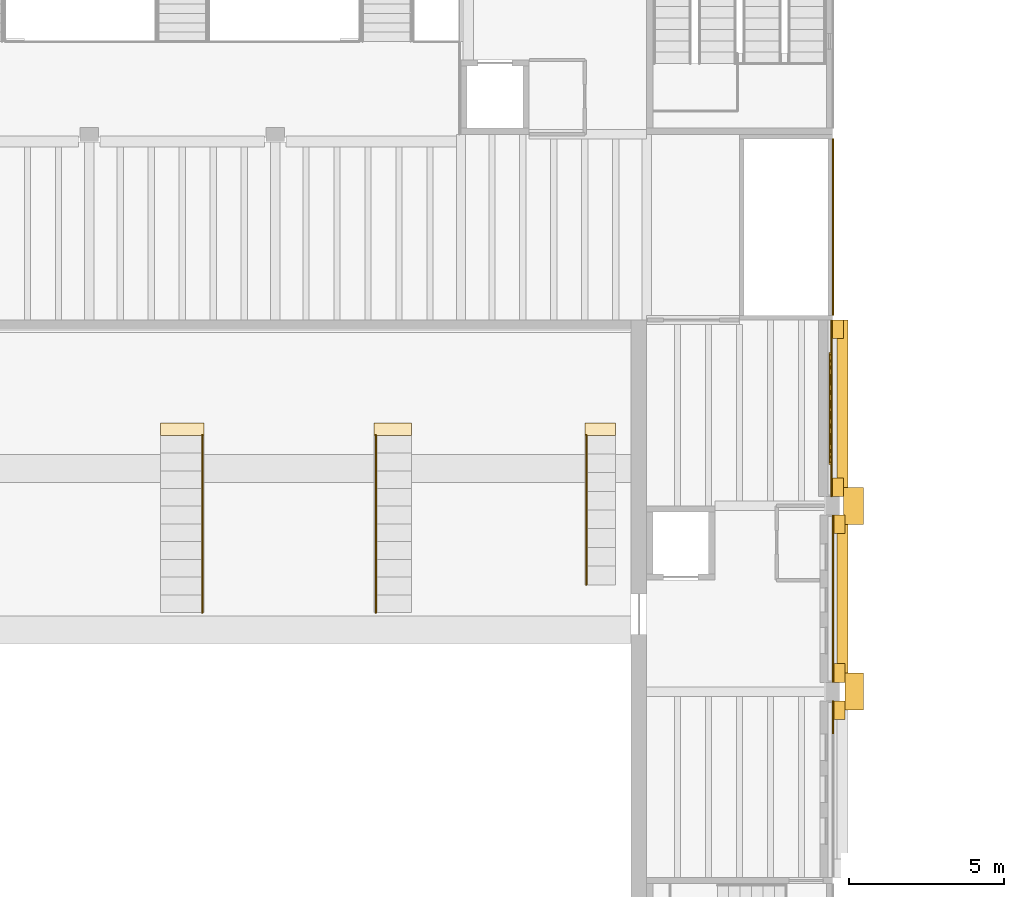
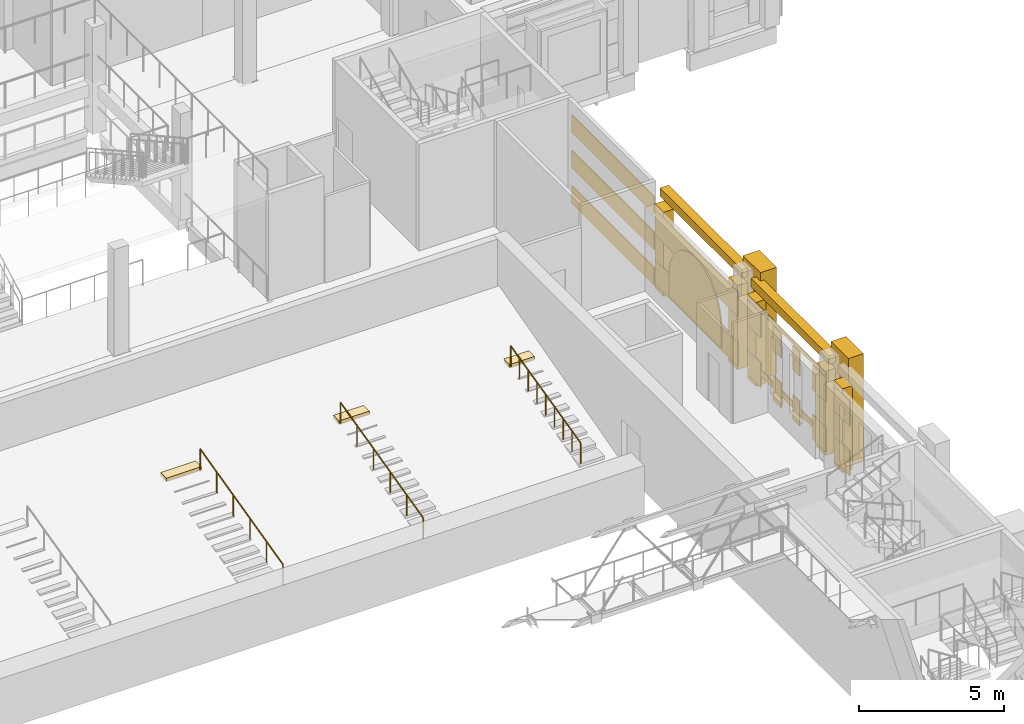
# One storey, part 63 of 70: 30 coverings, 3 railings.
"""IFC4 building model written with IfcOpenShell, lengths in metres."""

import ifcopenshell
import ifcopenshell.guid

model = None  # the IFC model being written
_history = None  # IfcOwnerHistory: only IFC2X3 demands one
_inside = {}  # id of a spatial element -> (the spatial element, [elements in it])
_under = {}  # id of a project, library or spatial element -> (it, [spatial elements below it])
_declared = {}  # id of a project -> (the project, [libraries it declares])
_typed = {}  # id of a type object -> (the type object, [elements of that type])
_made_of = {}  # id of a material, layer set ... -> (it, [elements and type objects made of it])


def new_model(schema):
    """Start an empty IFC model of exactly this schema.

    Asked for "IFC4X3", IfcOpenShell would pick the latest addendum, in which some entities
    have other attributes; the version numbers below select the first issue.
    IFC2X3 requires an IfcOwnerHistory on every rooted entity: one is made here for all.
    """
    global model, _history
    if schema == "IFC4X3":
        model = ifcopenshell.file(schema_version=(4, 3, 0, 0))
    else:
        model = ifcopenshell.file(schema=schema)
    _inside.clear()
    _under.clear()
    _declared.clear()
    _typed.clear()
    _made_of.clear()
    _history = None
    if model.schema == "IFC2X3":
        org = make("IfcOrganization", Name="unknown")
        user = make(
            "IfcPersonAndOrganization",
            ThePerson=make("IfcPerson", FamilyName="unknown"),
            TheOrganization=org,
        )
        app = make(
            "IfcApplication",
            ApplicationDeveloper=org,
            Version="unknown",
            ApplicationFullName="unknown",
            ApplicationIdentifier="unknown",
        )
        _history = make(
            "IfcOwnerHistory",
            OwningUser=user,
            OwningApplication=app,
            ChangeAction="ADDED",
            CreationDate=0,
        )
    return model


def make(cls, **values):
    """One entity of the class cls with the attributes given. An attribute that is None is left unset."""
    return model.create_entity(
        cls, **{name: value for name, value in values.items() if value is not None}
    )


def rooted(cls, **values):
    """An entity with a GlobalId (a new one), such as an element, a storey or a relation."""
    return make(cls, GlobalId=ifcopenshell.guid.new(), OwnerHistory=_history, **values)


def si_unit(unit_type, name, prefix=None):
    """IfcSIUnit, for example si_unit("LENGTHUNIT", "METRE", prefix="MILLI")."""
    return make("IfcSIUnit", UnitType=unit_type, Prefix=prefix, Name=name)


def assignment(units):
    """IfcUnitAssignment: the units of a project."""
    return None if units is None else make("IfcUnitAssignment", Units=units)


def point(xyz):
    """IfcCartesianPoint."""
    return None if xyz is None else make("IfcCartesianPoint", Coordinates=xyz)


def direction(xyz):
    """IfcDirection."""
    return None if xyz is None else make("IfcDirection", DirectionRatios=xyz)


def frame(location, z_axis=None, x_axis=None):
    """IfcAxis2Placement3D, a coordinate frame: its origin and axes. An axis left out is left unset."""
    return make(
        "IfcAxis2Placement3D",
        Location=point(location),
        Axis=direction(z_axis),
        RefDirection=direction(x_axis),
    )


def frame_2d(location, x_axis=None):
    """IfcAxis2Placement2D, a coordinate frame in the plane: its origin and x axis."""
    return make(
        "IfcAxis2Placement2D", Location=point(location), RefDirection=direction(x_axis)
    )


def origin():
    """The frame at (0, 0, 0) with its axes left unset."""
    return frame((0.0, 0.0, 0.0))


def origin_2d():
    """The frame at (0, 0) in the plane with its x axis left unset."""
    return frame_2d((0.0, 0.0))


def place(relative_to, where):
    """IfcLocalPlacement: puts the frame where relative to a parent placement (None: the world)."""
    return make(
        "IfcLocalPlacement", PlacementRelTo=relative_to, RelativePlacement=where
    )


def context(
    kind, dimensions, precision=None, world=None, true_north=None, identifier=None
):
    """IfcGeometricRepresentationContext, for example the 3D "Model" context."""
    return make(
        "IfcGeometricRepresentationContext",
        ContextIdentifier=identifier,
        ContextType=kind,
        CoordinateSpaceDimension=dimensions,
        Precision=precision,
        WorldCoordinateSystem=world,
        TrueNorth=true_north,
    )


def subcontext(parent, identifier, kind, view, scale=None):
    """IfcGeometricRepresentationSubContext, for example "Body" below "Model"."""
    return make(
        "IfcGeometricRepresentationSubContext",
        ContextIdentifier=identifier,
        ContextType=kind,
        ParentContext=parent,
        TargetScale=scale,
        TargetView=view,
    )


def project(units=None, contexts=None):
    """IfcProject with its units and contexts."""
    return rooted(
        "IfcProject",
        Name="project",
        RepresentationContexts=contexts,
        UnitsInContext=assignment(units),
    )


def spatial(cls, under=None, at=None, **own):
    """A site, building, storey or space (cls), placed at a placement, below another one or the project."""
    s = rooted(cls, ObjectPlacement=at, **own)
    if under is not None:
        _under.setdefault(under.id(), (under, []))[1].append(s)
    return s


def polyline(points):
    """IfcPolyline through the points."""
    return make("IfcPolyline", Points=[point(p) for p in points])


def profile(cls, at=None, kind="AREA", **sizes):
    """A parametric profile (cls). Its sizes go by their IFC names, for example OverallWidth=200.0."""
    return make(cls, ProfileType=kind, Position=at, **sizes)


def rectangle(**sizes):
    """IfcRectangleProfileDef."""
    return profile("IfcRectangleProfileDef", **sizes)


def circle(**sizes):
    """IfcCircleProfileDef."""
    return profile("IfcCircleProfileDef", **sizes)


def outline(outer, holes=None, kind="AREA"):
    """IfcArbitraryClosedProfileDef: a profile drawn as a closed curve; with holes, ...WithVoids."""
    if holes is None:
        return make("IfcArbitraryClosedProfileDef", ProfileType=kind, OuterCurve=outer)
    return make(
        "IfcArbitraryProfileDefWithVoids",
        ProfileType=kind,
        OuterCurve=outer,
        InnerCurves=holes,
    )


def extrude(swept, where, along, depth):
    """IfcExtrudedAreaSolid: the profile swept, set in the frame where, extruded along a direction by depth."""
    return make(
        "IfcExtrudedAreaSolid",
        SweptArea=swept,
        Position=where,
        ExtrudedDirection=direction(along),
        Depth=depth,
    )


def shape(context_of_items, identifier, shape_type, items):
    """IfcShapeRepresentation: the items that make up one representation, for example the "Body"."""
    return make(
        "IfcShapeRepresentation",
        ContextOfItems=context_of_items,
        RepresentationIdentifier=identifier,
        RepresentationType=shape_type,
        Items=items,
    )


def material(Name=None, Category=None):
    """IfcMaterial."""
    return make("IfcMaterial", Name=Name, Category=Category)


def layer(
    of_material, thickness, ventilated=None, Name=None, Category=None, Priority=None
):
    """IfcMaterialLayer: one layer of a wall or slab, of a material (None: an air gap)."""
    return make(
        "IfcMaterialLayer",
        Material=of_material,
        LayerThickness=thickness,
        IsVentilated=ventilated,
        Name=Name,
        Category=Category,
        Priority=Priority,
    )


def layer_set(layers, Name=None):
    """IfcMaterialLayerSet."""
    return make("IfcMaterialLayerSet", MaterialLayers=layers, LayerSetName=Name)


def made_of(thing, what):
    """Note that an element or type object is made of a material, layer set ...; save() writes the relation."""
    if what is not None:
        _made_of.setdefault(what.id(), (what, []))[1].append(thing)
    return thing


def type_object(cls, material=None, **own):
    """A type object (cls), such as IfcWallType, which elements share."""
    return made_of(rooted(cls, **own), material)


def element(
    cls,
    number,
    at=None,
    inside=None,
    cuts=None,
    type_object=None,
    material=None,
    context=None,
    identifier="Body",
    shape_type=None,
    held_by="IfcProductDefinitionShape",
    body=None,
    shapes=None,
    **own,
):
    """One element of the class cls, such as IfcWall. Its Tag is "e" and its number.

    at: its placement. inside: the storey or other place that contains it. cuts: it is an
    opening in that element (IfcRelVoidsElement). A single representation is given by context,
    identifier, shape_type and body (its items); several are given by shapes. held_by: the class
    of the entity that holds the representations. save() writes the other relations.
    """
    e = rooted(cls, Tag="e%d" % number, ObjectPlacement=at, **own)
    if body is not None:
        shapes = [shape(context, identifier, shape_type, body)]
    if shapes is not None:
        e.Representation = make(held_by, Representations=shapes)
    if inside is not None:
        _inside.setdefault(inside.id(), (inside, []))[1].append(e)
    if cuts is not None:
        rooted(
            "IfcRelVoidsElement", RelatingBuildingElement=cuts, RelatedOpeningElement=e
        )
    if type_object is not None:
        _typed.setdefault(type_object.id(), (type_object, []))[1].append(e)
    return made_of(e, material)


def aggregate(whole, parts):
    """IfcRelAggregates: a whole, such as a stair, and the parts it consists of."""
    return rooted("IfcRelAggregates", RelatingObject=whole, RelatedObjects=parts)


def save(model, path):
    """Write the relations noted so far, then the file.

    IfcRelAggregates (storeys below a building ...), IfcRelContainedInSpatialStructure (elements
    in a storey), IfcRelDefinesByType, IfcRelAssociatesMaterial and IfcRelDeclares: one each for
    every whole, place, type object, material and project.
    """
    for whole, parts in _under.values():
        aggregate(whole, parts)
    for where, things in _inside.values():
        rooted(
            "IfcRelContainedInSpatialStructure",
            RelatedElements=things,
            RelatingStructure=where,
        )
    for kind, things in _typed.values():
        rooted("IfcRelDefinesByType", RelatedObjects=things, RelatingType=kind)
    for what, things in _made_of.values():
        rooted("IfcRelAssociatesMaterial", RelatedObjects=things, RelatingMaterial=what)
    for by, libraries in _declared.values():
        rooted("IfcRelDeclares", RelatingContext=by, RelatedDefinitions=libraries)
    model.write(path)


model = new_model("IFC4")

# Units and contexts
model_context = context("Model", 3, precision=1e-05, world=origin(), true_north=direction((0.0, 1.0)))
body_context = subcontext(model_context, "Body", "Model", "MODEL_VIEW")
ifc_project = project(units=[si_unit("LENGTHUNIT", "METRE"), si_unit("AREAUNIT", "SQUARE_METRE"), si_unit("VOLUMEUNIT", "CUBIC_METRE"), si_unit("PLANEANGLEUNIT", "RADIAN"), si_unit("MASSUNIT", "GRAM", prefix="KILO")], contexts=[model_context])

# Site, building, storey
site_placement = place(None, origin())
site = spatial("IfcSite", under=ifc_project, at=site_placement, CompositionType="ELEMENT")
building_placement = place(site_placement, origin())
building = spatial("IfcBuilding", under=site, at=building_placement, Name="Saffron Lane Theatres", CompositionType="ELEMENT")
storey_placement = place(building_placement, frame((0.0, 0.0, 12.0)))
storey = spatial("IfcBuildingStorey", under=building, at=storey_placement, Name="L02", CompositionType="ELEMENT", Elevation=12.0)

# Coverings
ifc_material_1 = material(Name="Masonry pale clay brick", Category="masonry")
ifc_layer_1 = layer(ifc_material_1, 0.050048828125)
ifc_layer_set_1 = layer_set([ifc_layer_1], Name="Masonry pale clay brick")
covering_type_1 = type_object("IfcCoveringType", Name="EX-ARCH PANEL BRICK 50", PredefinedType="CLADDING", material=ifc_layer_set_1)
covering_1_placement = place(storey_placement, frame((53.89990234375, 88.949951171875, 1.199951171875), z_axis=(-1.0, 0.0, 0.0), x_axis=(0.0, 0.0, -1.0)))
element("IfcCovering", 1, at=covering_1_placement, inside=storey, type_object=covering_type_1, Name="Blind arch panel 16", PredefinedType="CLADDING", context=body_context, shape_type="SweptSolid", body=[
    extrude(outline(polyline([(0.0, 0.0), (0.89990234375, 0.0), (0.89990234375, 3.599853515625), (0.0, 3.599853515625), (-0.28515625, 3.577880859375), (-0.56201171875, 3.512939453125), (-0.8271484375, 3.405029296875), (-1.071044921875, 3.258056640625), (-1.291015625, 3.075927734375), (-1.47900390625, 2.862060546875), (-1.633056640625, 2.620849609375), (-1.7470703125, 2.35986328125), (-1.820068359375, 2.083984375), (-1.85009765625, 1.800048828125), (-1.820068359375, 1.515869140625), (-1.7470703125, 1.239990234375), (-1.633056640625, 0.97900390625), (-1.47900390625, 0.738037109375), (-1.291015625, 0.52392578125), (-1.071044921875, 0.342041015625), (-0.8271484375, 0.195068359375), (-0.56201171875, 0.0869140625), (-0.28515625, 0.02197265625), (0.0, 0.0)])), origin(), (0.0, 0.0, -1.0), 0.050048828125),
])
ifc_material_2 = material(Name="Masonry sandstone", Category="masonry")
ifc_layer_2 = layer(ifc_material_2, 0.0400390625)
ifc_layer_set_2 = layer_set([ifc_layer_2], Name="Masonry sandstone")
covering_type_2 = type_object("IfcCoveringType", Name="EX-BANDING COURSE SANDSTONE 40", PredefinedType="CLADDING", material=ifc_layer_set_2)
for number, where, z_axis, x_axis, name in (
    (2, (54.02001953125, 93.0, 0.0), (0.0, 0.0, 1.0), (0.0, 1.0, 0.0), "Banding course L02"),
    (3, (54.02001953125, 93.0, 1.5), (0.0, 0.0, 1.0), (0.0, 1.0, 0.0), "Banding course L02"),
    (4, (54.02001953125, 93.0, 3.0), (0.0, 0.0, 1.0), (0.0, 1.0, 0.0), "Banding course L02"),
):
    element("IfcCovering", number, at=place(storey_placement, frame(where, z_axis=z_axis, x_axis=x_axis)), inside=storey, type_object=covering_type_2, Name=name, PredefinedType="CLADDING", context=body_context, shape_type="SweptSolid", body=[
        extrude(rectangle(XDim=5.699951171875, YDim=0.0400390625, at=origin_2d()), origin(), (0.0, 0.0, 1.0), 0.75),
    ])
ifc_material_3 = material(Name="Face brick cladding, pale buff", Category="masonry")
ifc_layer_3 = layer(ifc_material_3, 0.0400390625)
ifc_layer_set_3 = layer_set([ifc_layer_3], Name="Face brick cladding, pale buff")
covering_type_3 = type_object("IfcCoveringType", Name="EX-FACE BRICK CLADDING PALE BUFF 40", PredefinedType="CLADDING", material=ifc_layer_set_3)
for number, where, z_axis, x_axis, name in (
    (5, (53.969970703125, 87.14990234375, 0.14990234375), (0.0, 0.0, 1.0), (0.0, -1.0, 0.0), "Cladding course L02"),
    (6, (53.969970703125, 87.14990234375, 2.25), (0.0, 0.0, 1.0), (0.0, -1.0, 0.0), "Cladding course L02"),
):
    element("IfcCovering", number, at=place(storey_placement, frame(where, z_axis=z_axis, x_axis=x_axis)), inside=storey, type_object=covering_type_3, Name=name, PredefinedType="CLADDING", context=body_context, shape_type="SweptSolid", body=[
        extrude(rectangle(XDim=5.699951171875, YDim=0.0400390625, at=origin_2d()), origin(), (0.0, 0.0, 1.0), 1.050048828125),
    ])
covering_2_placement = place(storey_placement, frame((54.02001953125, 83.2470703125, 0.14990234375), z_axis=(0.0, 0.0, 1.0), x_axis=(0.0, -1.0, 0.0)))
element("IfcCovering", 7, at=covering_2_placement, inside=storey, type_object=covering_type_3, Name="Cladding course L02", PredefinedType="CLADDING", context=body_context, shape_type="SweptSolid", body=[
    extrude(rectangle(XDim=0.905029296875, YDim=0.0400390625, at=origin_2d()), origin(), (0.0, 0.0, 1.0), 1.050048828125),
])
covering_3_placement = place(storey_placement, frame((54.02001953125, 81.636962890625, 0.14990234375), z_axis=(0.0, 0.0, 1.0), x_axis=(0.0, -1.0, 0.0)))
element("IfcCovering", 8, at=covering_3_placement, inside=storey, type_object=covering_type_3, Name="Cladding course L02", PredefinedType="CLADDING", context=body_context, shape_type="SweptSolid", body=[
    extrude(rectangle(XDim=0.534912109375, YDim=0.0400390625, at=origin_2d()), origin(), (0.0, 0.0, 1.0), 1.050048828125),
])
covering_4_placement = place(storey_placement, frame((54.02001953125, 80.324951171875, 0.14990234375), z_axis=(0.0, 0.0, 1.0), x_axis=(0.0, -1.0, 0.0)))
element("IfcCovering", 9, at=covering_4_placement, inside=storey, type_object=covering_type_3, Name="Cladding course L02", PredefinedType="CLADDING", context=body_context, shape_type="SweptSolid", body=[
    extrude(rectangle(XDim=0.4599609375, YDim=0.0400390625, at=origin_2d()), origin(), (0.0, 0.0, 1.0), 1.050048828125),
])
for number, where, z_axis, x_axis, name in (
    (10, (54.02001953125, 78.751953125, 0.14990234375), (0.0, 0.0, 1.0), (0.0, -1.0, 0.0), "Cladding course L02"),
    (11, (54.02001953125, 83.2470703125, 2.25), (0.0, 0.0, 1.0), (0.0, -1.0, 0.0), "Cladding course L02"),
):
    element("IfcCovering", number, at=place(storey_placement, frame(where, z_axis=z_axis, x_axis=x_axis)), inside=storey, type_object=covering_type_3, Name=name, PredefinedType="CLADDING", context=body_context, shape_type="SweptSolid", body=[
        extrude(rectangle(XDim=0.905029296875, YDim=0.0400390625, at=origin_2d()), origin(), (0.0, 0.0, 1.0), 1.050048828125),
    ])
covering_5_placement = place(storey_placement, frame((54.02001953125, 81.636962890625, 2.25), z_axis=(0.0, 0.0, 1.0), x_axis=(0.0, -1.0, 0.0)))
element("IfcCovering", 12, at=covering_5_placement, inside=storey, type_object=covering_type_3, Name="Cladding course L02", PredefinedType="CLADDING", context=body_context, shape_type="SweptSolid", body=[
    extrude(rectangle(XDim=0.534912109375, YDim=0.0400390625, at=origin_2d()), origin(), (0.0, 0.0, 1.0), 1.050048828125),
])
covering_6_placement = place(storey_placement, frame((54.02001953125, 80.324951171875, 2.25), z_axis=(0.0, 0.0, 1.0), x_axis=(0.0, -1.0, 0.0)))
element("IfcCovering", 13, at=covering_6_placement, inside=storey, type_object=covering_type_3, Name="Cladding course L02", PredefinedType="CLADDING", context=body_context, shape_type="SweptSolid", body=[
    extrude(rectangle(XDim=0.4599609375, YDim=0.0400390625, at=origin_2d()), origin(), (0.0, 0.0, 1.0), 1.050048828125),
])
covering_7_placement = place(storey_placement, frame((54.02001953125, 78.751953125, 2.25), z_axis=(0.0, 0.0, 1.0), x_axis=(0.0, -1.0, 0.0)))
element("IfcCovering", 14, at=covering_7_placement, inside=storey, type_object=covering_type_3, Name="Cladding course L02", PredefinedType="CLADDING", context=body_context, shape_type="SweptSolid", body=[
    extrude(rectangle(XDim=0.905029296875, YDim=0.0400390625, at=origin_2d()), origin(), (0.0, 0.0, 1.0), 1.050048828125),
])
for number, where, z_axis, x_axis, name in (
    (15, (54.02001953125, 77.172119140625, 0.14990234375), (0.0, 0.0, 1.0), (0.0, -1.0, 0.0), "Cladding course L02"),
    (16, (54.02001953125, 77.172119140625, 2.25), (0.0, 0.0, 1.0), (0.0, -1.0, 0.0), "Cladding course L02"),
):
    element("IfcCovering", number, at=place(storey_placement, frame(where, z_axis=z_axis, x_axis=x_axis)), inside=storey, type_object=covering_type_3, Name=name, PredefinedType="CLADDING", context=body_context, shape_type="SweptSolid", body=[
        extrude(rectangle(XDim=1.054931640625, YDim=0.0400390625, at=origin_2d()), origin(), (0.0, 0.0, 1.0), 1.050048828125),
    ])
ifc_material_4 = material(Name="Masonry sandstone", Category="masonry")
ifc_layer_4 = layer(ifc_material_4, 1.199951171875)
ifc_layer_set_4 = layer_set([ifc_layer_4], Name="Masonry sandstone")
covering_type_4 = type_object("IfcCoveringType", Name="EX-FLANK BUTTRESS PIER SANDSTONE 1200", PredefinedType="CLADDING", material=ifc_layer_set_4)
covering_8_placement = place(storey_placement, frame((54.699951171875, 78.0, 0.0), z_axis=(0.0, 0.0, 1.0), x_axis=(0.0, 1.0, 0.0)))
element("IfcCovering", 17, at=covering_8_placement, inside=storey, type_object=covering_type_4, Name="Flank buttress east L02", PredefinedType="CLADDING", context=body_context, shape_type="SweptSolid", body=[
    extrude(rectangle(XDim=1.199951171875, YDim=0.60009765625, at=origin_2d()), origin(), (0.0, 0.0, 1.0), 4.5),
])
covering_9_placement = place(storey_placement, frame((54.675048828125, 84.0, 0.0), z_axis=(0.0, 0.0, 1.0), x_axis=(0.0, 1.0, 0.0)))
element("IfcCovering", 18, at=covering_9_placement, inside=storey, type_object=covering_type_4, Name="Flank buttress east L02", PredefinedType="CLADDING", context=body_context, shape_type="SweptSolid", body=[
    extrude(rectangle(XDim=1.199951171875, YDim=0.64990234375, at=origin_2d()), origin(), (0.0, 0.0, 1.0), 4.5),
])
ifc_material_5 = material(Name="Masonry sandstone", Category="masonry")
ifc_layer_5 = layer(ifc_material_5, 0.0400390625)
ifc_layer_set_5 = layer_set([ifc_layer_5], Name="Masonry sandstone")
covering_type_5 = type_object("IfcCoveringType", Name="EX-HEAD COURSE SANDSTONE 150", PredefinedType="CLADDING", material=ifc_layer_set_5)
covering_10_placement = place(storey_placement, frame((54.02001953125, 81.0, 3.35009765625), z_axis=(0.0, 0.0, 1.0), x_axis=(0.0, -1.0, 0.0)))
element("IfcCovering", 19, at=covering_10_placement, inside=storey, type_object=covering_type_5, Name="Facade head course L02", PredefinedType="CLADDING", context=body_context, shape_type="SweptSolid", body=[
    extrude(rectangle(XDim=5.39990234375, YDim=0.0400390625, at=origin_2d()), origin(), (0.0, 0.0, 1.0), 0.14990234375),
])
ifc_material_6 = material(Name="Masonry sandstone", Category="masonry")
ifc_layer_6 = layer(ifc_material_6, 0.39990234375)
ifc_layer_set_6 = layer_set([ifc_layer_6], Name="Masonry sandstone")
covering_type_6 = type_object("IfcCoveringType", Name="EX-PILASTER PIER SANDSTONE 400", PredefinedType="CLADDING", material=ifc_layer_set_6)
for number, where, z_axis, x_axis, name in (
    (20, (54.14990234375, 89.699951171875, 0.0), (0.0, 0.0, 1.0), (0.0, -1.0, 0.0), "Pilaster pier L02"),
    (21, (54.14990234375, 84.60009765625, 0.0), (0.0, 0.0, 1.0), (0.0, -1.0, 0.0), "Pilaster pier L02"),
    (22, (54.199951171875, 83.39990234375, 0.0), (0.0, 0.0, 1.0), (0.0, -1.0, 0.0), "Pilaster pier L02"),
    (23, (54.199951171875, 78.60009765625, 0.0), (0.0, 0.0, 1.0), (0.0, -1.0, 0.0), "Pilaster pier L02"),
    (24, (54.199951171875, 77.39990234375, 0.0), (0.0, 0.0, 1.0), (0.0, -1.0, 0.0), "Pilaster pier L02"),
):
    element("IfcCovering", number, at=place(storey_placement, frame(where, z_axis=z_axis, x_axis=x_axis)), inside=storey, type_object=covering_type_6, Name=name, PredefinedType="CLADDING", context=body_context, shape_type="SweptSolid", body=[
        extrude(rectangle(XDim=0.60009765625, YDim=0.39990234375, at=origin_2d()), origin(), (0.0, 0.0, 1.0), 3.550048828125),
    ])
ifc_material_7 = material(Name="Masonry sandstone", Category="masonry")
ifc_layer_7 = layer(ifc_material_7, 0.0400390625)
ifc_layer_set_7 = layer_set([ifc_layer_7], Name="Masonry sandstone")
covering_type_7 = type_object("IfcCoveringType", Name="EX-SILL COURSE SANDSTONE 250", PredefinedType="CLADDING", material=ifc_layer_set_7)
covering_11_placement = place(storey_placement, frame((54.02001953125, 81.0, 0.64990234375), z_axis=(0.0, 0.0, 1.0), x_axis=(0.0, -1.0, 0.0)))
element("IfcCovering", 25, at=covering_11_placement, inside=storey, type_object=covering_type_7, Name="Facade sill course L02", PredefinedType="CLADDING", context=body_context, shape_type="SweptSolid", body=[
    extrude(rectangle(XDim=5.39990234375, YDim=0.0400390625, at=origin_2d()), origin(), (0.0, 0.0, 1.0), 0.25),
])
ifc_material_8 = material(Name="Masonry sandstone", Category="masonry")
ifc_layer_8 = layer(ifc_material_8, 0.300048828125)
ifc_layer_set_8 = layer_set([ifc_layer_8], Name="Masonry sandstone")
covering_type_8 = type_object("IfcCoveringType", Name="EX-STRING COURSE SANDSTONE 350", PredefinedType="CLADDING", material=ifc_layer_set_8)
covering_12_placement = place(storey_placement, frame((54.324951171875, 87.14990234375, 3.800048828125), z_axis=(0.0, 0.0, 1.0), x_axis=(0.0, -1.0, 0.0)))
element("IfcCovering", 26, at=covering_12_placement, inside=storey, type_object=covering_type_8, Name="String course L02", PredefinedType="CLADDING", context=body_context, shape_type="SweptSolid", body=[
    extrude(rectangle(XDim=5.699951171875, YDim=0.35009765625, at=origin_2d()), origin(), (0.0, 0.0, 1.0), 0.35009765625),
])
covering_13_placement = place(storey_placement, frame((54.324951171875, 81.0, 3.800048828125), z_axis=(0.0, 0.0, 1.0), x_axis=(0.0, -1.0, 0.0)))
element("IfcCovering", 27, at=covering_13_placement, inside=storey, type_object=covering_type_8, Name="String course L02", PredefinedType="CLADDING", context=body_context, shape_type="SweptSolid", body=[
    extrude(rectangle(XDim=5.39990234375, YDim=0.35009765625, at=origin_2d()), origin(), (0.0, 0.0, 1.0), 0.35009765625),
])
ifc_material_9 = material(Name="Cement screed", Category="screed")
covering_type_9 = type_object("IfcCoveringType", Name="VC-AISLE PLATFORM", PredefinedType="FLOORING", material=ifc_material_9)
covering_14_placement = place(storey_placement, frame((0.0, 0.0, 1.64501953125)))
element("IfcCovering", 28, at=covering_14_placement, inside=storey, type_object=covering_type_9, Name="Dress Circle aisle 3 landing 1", PredefinedType="FLOORING", context=body_context, shape_type="SweptSolid", body=[
    extrude(outline(polyline([(32.300048828125, 86.278076171875), (33.699951171875, 86.278076171875), (33.699951171875, 86.677978515625), (32.300048828125, 86.677978515625), (32.300048828125, 86.278076171875)])), origin(), (0.0, 0.0, 1.0), 0.157958984375),
])
covering_15_placement = place(storey_placement, frame((0.0, 0.0, 1.64501953125)))
element("IfcCovering", 29, at=covering_15_placement, inside=storey, type_object=covering_type_9, Name="Dress Circle aisle 4 landing 1", PredefinedType="FLOORING", context=body_context, shape_type="SweptSolid", body=[
    extrude(outline(polyline([(39.199951171875, 86.278076171875), (40.39990234375, 86.278076171875), (40.39990234375, 86.677978515625), (39.199951171875, 86.677978515625), (39.199951171875, 86.278076171875)])), origin(), (0.0, 0.0, 1.0), 0.157958984375),
])
covering_16_placement = place(storey_placement, frame((0.0, 0.0, 1.64501953125)))
element("IfcCovering", 30, at=covering_16_placement, inside=storey, type_object=covering_type_9, Name="Dress Circle aisle 5 landing 1", PredefinedType="FLOORING", context=body_context, shape_type="SweptSolid", body=[
    extrude(outline(polyline([(46.0, 86.278076171875), (47.0, 86.278076171875), (47.0, 86.677978515625), (46.0, 86.677978515625), (46.0, 86.278076171875)])), origin(), (0.0, 0.0, 1.0), 0.157958984375),
])

# Railings
ifc_material_10 = material(Name="Steel Grade 350", Category="steel")
railing_type = type_object("IfcRailingType", Name="VC-HANDRAIL 900", PredefinedType="HANDRAIL", material=ifc_material_10)
railing_1_placement = place(storey_placement, frame((33.64990234375, 80.550048828125, 0.2890625)))
element("IfcRailing", 31, at=railing_1_placement, inside=storey, type_object=railing_type, Name="Dress Circle aisle 3 handrail", PredefinedType="HANDRAIL", context=body_context, shape_type="SweptSolid", body=[
    extrude(circle(Radius=0.02392578125, at=origin_2d()), frame((0.0, 0.0, 0.8759765625), z_axis=(0.0, 0.971156606232, 0.238442542707), x_axis=(-1.0, 0.0, 0.0)), (0.0, 0.0, 1.0), 1.179443359375),
    extrude(circle(Radius=0.02392578125, at=origin_2d()), frame((0.0, 1.1455078125, 1.1572265625), z_axis=(0.0, 0.971168370579, 0.238394622396), x_axis=(-1.0, 0.0, 0.0)), (0.0, 0.0, 1.0), 1.1796875),
    extrude(circle(Radius=0.02392578125, at=origin_2d()), frame((0.0, 2.291259765625, 1.4384765625), z_axis=(0.0, 0.971204518627, 0.238247314778), x_axis=(-1.0, 0.0, 0.0)), (0.0, 0.0, 1.0), 1.179443359375),
    extrude(circle(Radius=0.02392578125, at=origin_2d()), frame((0.0, 3.436767578125, 1.71923828125), z_axis=(0.0, 0.971156606232, 0.238442542707), x_axis=(-1.0, 0.0, 0.0)), (0.0, 0.0, 1.0), 1.179443359375),
    extrude(circle(Radius=0.02392578125, at=origin_2d()), frame((0.0, 4.582275390625, 2.00048828125), z_axis=(0.0, 0.971168370579, 0.238394622396), x_axis=(-1.0, 0.0, 0.0)), (0.0, 0.0, 1.0), 1.1796875),
    extrude(circle(Radius=0.02099609375, at=origin_2d()), origin(), (0.0, 0.0, 1.0), 0.851806640625),
    extrude(circle(Radius=0.02099609375, at=origin_2d()), frame((0.0, 1.1455078125, 0.28125)), (0.0, 0.0, 1.0), 0.851806640625),
    extrude(circle(Radius=0.02099609375, at=origin_2d()), frame((0.0, 2.291259765625, 0.5625)), (0.0, 0.0, 1.0), 0.851806640625),
    extrude(circle(Radius=0.02099609375, at=origin_2d()), frame((0.0, 3.436767578125, 0.843505859375)), (0.0, 0.0, 1.0), 0.851806640625),
    extrude(circle(Radius=0.02099609375, at=origin_2d()), frame((0.0, 4.582275390625, 1.124755859375)), (0.0, 0.0, 1.0), 0.851806640625),
    extrude(circle(Radius=0.02099609375, at=origin_2d()), frame((0.0, 5.72802734375, 1.406005859375)), (0.0, 0.0, 1.0), 0.851806640625),
])
railing_2_placement = place(storey_placement, frame((39.25, 80.550048828125, 0.2890625)))
element("IfcRailing", 32, at=railing_2_placement, inside=storey, type_object=railing_type, Name="Dress Circle aisle 4 handrail", PredefinedType="HANDRAIL", context=body_context, shape_type="SweptSolid", body=[
    extrude(circle(Radius=0.02392578125, at=origin_2d()), frame((0.0, 0.0, 0.8759765625), z_axis=(0.0, 0.971156606232, 0.238442542707), x_axis=(-1.0, 0.0, 0.0)), (0.0, 0.0, 1.0), 1.179443359375),
    extrude(circle(Radius=0.02392578125, at=origin_2d()), frame((0.0, 1.1455078125, 1.1572265625), z_axis=(0.0, 0.971168370579, 0.238394622396), x_axis=(-1.0, 0.0, 0.0)), (0.0, 0.0, 1.0), 1.1796875),
    extrude(circle(Radius=0.02392578125, at=origin_2d()), frame((0.0, 2.291259765625, 1.4384765625), z_axis=(0.0, 0.971204518627, 0.238247314778), x_axis=(-1.0, 0.0, 0.0)), (0.0, 0.0, 1.0), 1.179443359375),
    extrude(circle(Radius=0.02392578125, at=origin_2d()), frame((0.0, 3.436767578125, 1.71923828125), z_axis=(0.0, 0.971156606232, 0.238442542707), x_axis=(-1.0, 0.0, 0.0)), (0.0, 0.0, 1.0), 1.179443359375),
    extrude(circle(Radius=0.02392578125, at=origin_2d()), frame((0.0, 4.582275390625, 2.00048828125), z_axis=(0.0, 0.971168370579, 0.238394622396), x_axis=(-1.0, 0.0, 0.0)), (0.0, 0.0, 1.0), 1.1796875),
    extrude(circle(Radius=0.02099609375, at=origin_2d()), origin(), (0.0, 0.0, 1.0), 0.851806640625),
    extrude(circle(Radius=0.02099609375, at=origin_2d()), frame((0.0, 1.1455078125, 0.28125)), (0.0, 0.0, 1.0), 0.851806640625),
    extrude(circle(Radius=0.02099609375, at=origin_2d()), frame((0.0, 2.291259765625, 0.5625)), (0.0, 0.0, 1.0), 0.851806640625),
    extrude(circle(Radius=0.02099609375, at=origin_2d()), frame((0.0, 3.436767578125, 0.843505859375)), (0.0, 0.0, 1.0), 0.851806640625),
    extrude(circle(Radius=0.02099609375, at=origin_2d()), frame((0.0, 4.582275390625, 1.124755859375)), (0.0, 0.0, 1.0), 0.851806640625),
    extrude(circle(Radius=0.02099609375, at=origin_2d()), frame((0.0, 5.72802734375, 1.406005859375)), (0.0, 0.0, 1.0), 0.851806640625),
])
railing_3_placement = place(storey_placement, frame((46.050048828125, 81.449951171875, 0.536376953125)))
element("IfcRailing", 33, at=railing_3_placement, inside=storey, type_object=railing_type, Name="Dress Circle aisle 5 handrail", PredefinedType="HANDRAIL", context=body_context, shape_type="SweptSolid", body=[
    extrude(circle(Radius=0.02392578125, at=origin_2d()), frame((0.0, 0.0, 0.8759765625), z_axis=(0.0, 0.972412291211, 0.233268806104), x_axis=(-1.0, 0.0, 0.0)), (0.0, 0.0, 1.0), 1.2412109375),
    extrude(circle(Radius=0.02392578125, at=origin_2d()), frame((0.0, 1.20703125, 1.16552734375), z_axis=(0.0, 0.972367660662, 0.233454776134), x_axis=(-1.0, 0.0, 0.0)), (0.0, 0.0, 1.0), 1.2412109375),
    extrude(circle(Radius=0.02392578125, at=origin_2d()), frame((0.0, 2.4140625, 1.455078125), z_axis=(0.0, 0.972412291211, 0.233268806104), x_axis=(-1.0, 0.0, 0.0)), (0.0, 0.0, 1.0), 1.2412109375),
    extrude(circle(Radius=0.02392578125, at=origin_2d()), frame((0.0, 3.62109375, 1.74462890625), z_axis=(0.0, 0.972367660662, 0.233454776134), x_axis=(-1.0, 0.0, 0.0)), (0.0, 0.0, 1.0), 1.2412109375),
    extrude(circle(Radius=0.02099609375, at=origin_2d()), origin(), (0.0, 0.0, 1.0), 0.851806640625),
    extrude(circle(Radius=0.02099609375, at=origin_2d()), frame((0.0, 0.603515625, 0.144775390625)), (0.0, 0.0, 1.0), 0.851806640625),
    extrude(circle(Radius=0.02099609375, at=origin_2d()), frame((0.0, 1.20703125, 0.28955078125)), (0.0, 0.0, 1.0), 0.851806640625),
    extrude(circle(Radius=0.02099609375, at=origin_2d()), frame((0.0, 1.810546875, 0.4345703125)), (0.0, 0.0, 1.0), 0.851806640625),
    extrude(circle(Radius=0.02099609375, at=origin_2d()), frame((0.0, 2.4140625, 0.579345703125)), (0.0, 0.0, 1.0), 0.851806640625),
    extrude(circle(Radius=0.02099609375, at=origin_2d()), frame((0.0, 3.017578125, 0.72412109375)), (0.0, 0.0, 1.0), 0.851806640625),
    extrude(circle(Radius=0.02099609375, at=origin_2d()), frame((0.0, 3.62109375, 0.868896484375)), (0.0, 0.0, 1.0), 0.851806640625),
    extrude(circle(Radius=0.02099609375, at=origin_2d()), frame((0.0, 4.224609375, 1.013671875)), (0.0, 0.0, 1.0), 0.851806640625),
    extrude(circle(Radius=0.02099609375, at=origin_2d()), frame((0.0, 4.828125, 1.15869140625)), (0.0, 0.0, 1.0), 0.851806640625),
])

save(model, "model.ifc")
